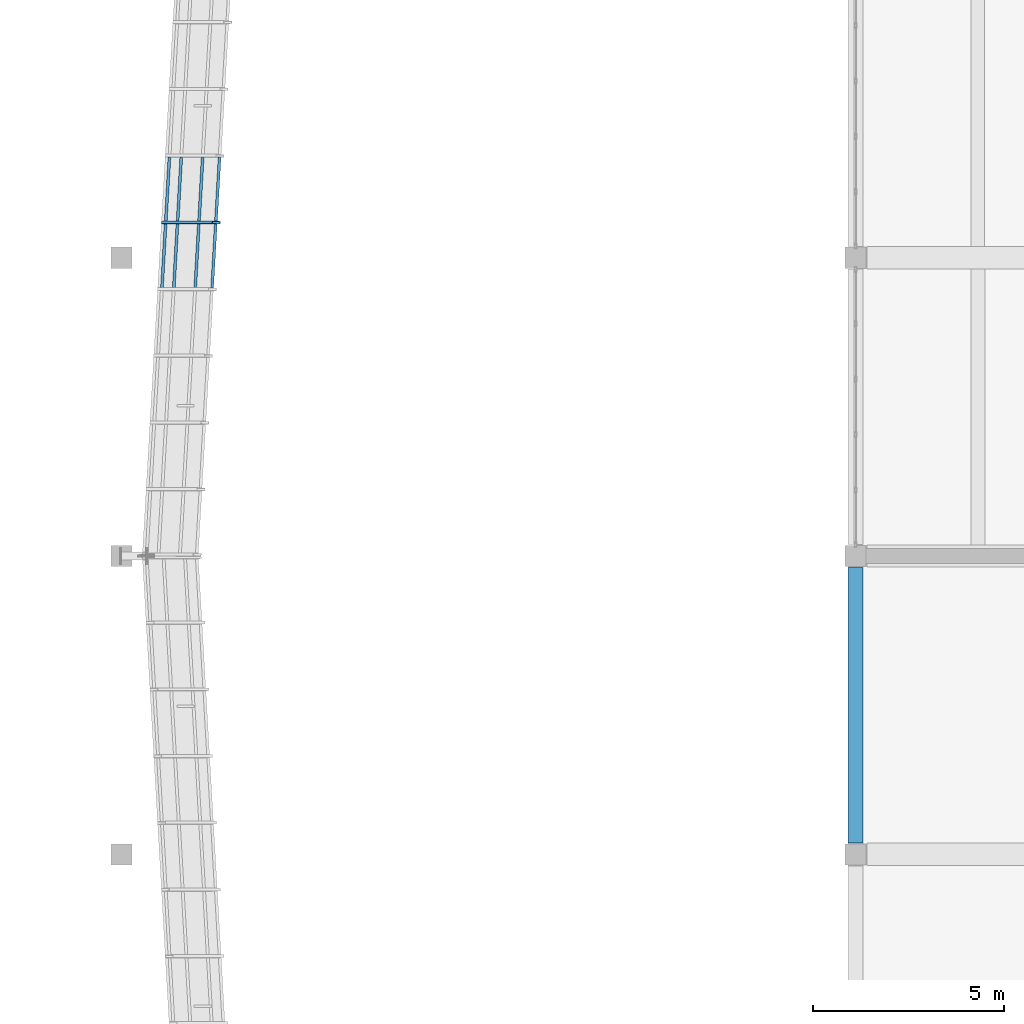
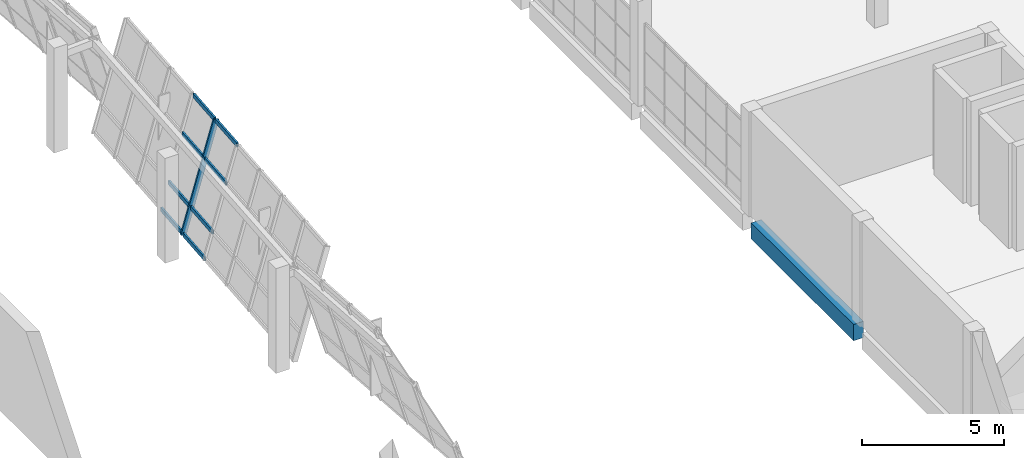
# One storey, part 21 of 67: 9 members, 1 beam, 1 element without a shape of its own.
"""IFC4 building model written with IfcOpenShell, lengths in metres."""

from ifc_helpers import new_model, si_unit, direction, frame, origin, origin_2d, place, context, subcontext, project, spatial, rectangle, hollow_rectangle, extrude, material, material_profile, profile_set, type_object, element, aggregate, save


model = new_model("IFC4")

# Units and contexts
model_context = context("Model", 3, precision=1e-05, world=origin(), true_north=direction((0.0, 1.0)))
body_context = subcontext(model_context, "Body", "Model", "MODEL_VIEW")
ifc_project = project(units=[si_unit("LENGTHUNIT", "METRE"), si_unit("AREAUNIT", "SQUARE_METRE"), si_unit("VOLUMEUNIT", "CUBIC_METRE"), si_unit("PLANEANGLEUNIT", "RADIAN"), si_unit("MASSUNIT", "GRAM", prefix="KILO")], contexts=[model_context])

# Site, building, storey
site_placement = place(None, origin())
site = spatial("IfcSite", under=ifc_project, at=site_placement, CompositionType="ELEMENT")
building_placement = place(site_placement, origin())
building = spatial("IfcBuilding", under=site, at=building_placement, Name="Pellamere Symphony Hall", CompositionType="ELEMENT")
storey_placement = place(building_placement, frame((0.0, 0.0, 19.5)))
storey = spatial("IfcBuildingStorey", under=building, at=storey_placement, Name="L04", CompositionType="ELEMENT", Elevation=19.5)

# Curtain wall, members
ifc_material_1 = material(Name="Thermally Broken Anodised Aluminium 6063-T6 Curtain Wall", Category="aluminium")
curtain_wall_type = type_object("IfcCurtainWallType", Name="Curtain Wall CW-01 (Tilted Faceted Crystal Low-Iron Curtain Wall)", PredefinedType="NOTDEFINED", material=ifc_material_1)
curtain_wall_placement = place(storey_placement, origin())
curtain_wall = element("IfcCurtainWall", 1, at=curtain_wall_placement, inside=storey, type_object=curtain_wall_type, Name="Crystal Faceted Curtain Wall CW-CR08 (L04)", PredefinedType="NOTDEFINED")
ifc_material_2 = material(Name="Anodised Architectural Aluminium 6063-T6", Category="aluminium")
ifc_material_profile_1 = material_profile(ifc_material_2, hollow_rectangle(XDim=0.074951171875, YDim=0.219970703125, WallThickness=0.0048828125, at=origin_2d()), Name="ALU-M75X220X5")
ifc_profile_set_1 = profile_set([ifc_material_profile_1], Name="Anodised Architectural Aluminium 6063-T6")
member_type_1 = type_object("IfcMemberType", Name="Curtain Wall Mullion ML-01 ALU-M75X220X5", PredefinedType="MULLION", material=ifc_profile_set_1)
member_1_placement = place(storey_placement, frame((119.949951171875, 70.522216796875, 0.0), z_axis=(0.284024567884, 0.0, 0.95881700279), x_axis=(-0.054873944304, -0.99836096977, 0.016254976991)))
member_1 = element("IfcMember", 2, at=member_1_placement, type_object=member_type_1, Name="CW1-016 crystal mullion 6", PredefinedType="MULLION", context=body_context, shape_type="SweptSolid", body=[
    extrude(hollow_rectangle(XDim=0.074951171875, YDim=0.219970703125, WallThickness=0.0048828125, at=origin_2d()), origin(), (0.0, 0.0, 1.0), 4.693359375),
])
ifc_material_profile_2 = material_profile(ifc_material_2, hollow_rectangle(XDim=0.074951171875, YDim=0.179931640625, WallThickness=0.0048828125, at=origin_2d()), Name="ALU-T75X180X5")
ifc_profile_set_2 = profile_set([ifc_material_profile_2], Name="Anodised Architectural Aluminium 6063-T6")
member_type_2 = type_object("IfcMemberType", Name="Curtain Wall Transom TR-01 ALU-T75X180X5", PredefinedType="USERDEFINED", material=ifc_profile_set_2)
member_2_placement = place(storey_placement, frame((119.86279296875, 68.815185546875, 0.035888671875), z_axis=(0.057224396245, 0.998361341637, 0.0), x_axis=(-0.998361341637, 0.057224396245, 0.0)))
member_2 = element("IfcMember", 3, at=member_2_placement, type_object=member_type_2, Name="CW1-016 crystal transom 5.1", ObjectType="TRANSOM", PredefinedType="USERDEFINED", context=body_context, shape_type="SweptSolid", body=[
    extrude(hollow_rectangle(XDim=0.074951171875, YDim=0.179931640625, WallThickness=0.0048828125, at=origin_2d()), origin(), (0.0, 0.0, 1.0), 1.67236328125),
])
member_3_placement = place(storey_placement, frame((120.172119140625, 68.815185546875, 1.080078125), z_axis=(0.057224396245, 0.998361341637, 0.0), x_axis=(-0.998361341637, 0.057224396245, 0.0)))
member_3 = element("IfcMember", 4, at=member_3_placement, type_object=member_type_2, Name="CW1-016 crystal transom 5.2", ObjectType="TRANSOM", PredefinedType="USERDEFINED", context=body_context, shape_type="SweptSolid", body=[
    extrude(hollow_rectangle(XDim=0.074951171875, YDim=0.179931640625, WallThickness=0.0048828125, at=origin_2d()), origin(), (0.0, 0.0, 1.0), 1.67236328125),
])
member_4_placement = place(storey_placement, frame((120.73193359375, 68.815185546875, 2.969970703125), z_axis=(0.057224396245, 0.998361341637, 0.0), x_axis=(-0.998361341637, 0.057224396245, 0.0)))
member_4 = element("IfcMember", 5, at=member_4_placement, type_object=member_type_2, Name="CW1-016 crystal transom 5.3", ObjectType="TRANSOM", PredefinedType="USERDEFINED", context=body_context, shape_type="SweptSolid", body=[
    extrude(hollow_rectangle(XDim=0.074951171875, YDim=0.179931640625, WallThickness=0.0048828125, at=origin_2d()), origin(), (0.0, 0.0, 1.0), 1.67236328125),
])
member_5_placement = place(storey_placement, frame((121.174560546875, 68.815185546875, 4.464111328125), z_axis=(0.057224396245, 0.998361341637, 0.0), x_axis=(-0.998361341637, 0.057224396245, 0.0)))
member_5 = element("IfcMember", 6, at=member_5_placement, type_object=member_type_2, Name="CW1-016 crystal transom 5.4", ObjectType="TRANSOM", PredefinedType="USERDEFINED", context=body_context, shape_type="SweptSolid", body=[
    extrude(hollow_rectangle(XDim=0.074951171875, YDim=0.179931640625, WallThickness=0.0048828125, at=origin_2d()), origin(), (0.0, 0.0, 1.0), 1.67236328125),
])
member_6_placement = place(storey_placement, frame((119.962890625, 70.5595703125, 0.035888671875), z_axis=(0.057224396245, 0.998361341637, 0.0), x_axis=(-0.998361341637, 0.057224396245, 0.0)))
member_6 = element("IfcMember", 7, at=member_6_placement, type_object=member_type_2, Name="CW1-016 crystal transom 6.1", ObjectType="TRANSOM", PredefinedType="USERDEFINED", context=body_context, shape_type="SweptSolid", body=[
    extrude(hollow_rectangle(XDim=0.074951171875, YDim=0.179931640625, WallThickness=0.0048828125, at=origin_2d()), origin(), (0.0, 0.0, 1.0), 1.67236328125),
])
member_7_placement = place(storey_placement, frame((120.27197265625, 70.5595703125, 1.080078125), z_axis=(0.057224396245, 0.998361341637, 0.0), x_axis=(-0.998361341637, 0.057224396245, 0.0)))
member_7 = element("IfcMember", 8, at=member_7_placement, type_object=member_type_2, Name="CW1-016 crystal transom 6.2", ObjectType="TRANSOM", PredefinedType="USERDEFINED", context=body_context, shape_type="SweptSolid", body=[
    extrude(hollow_rectangle(XDim=0.074951171875, YDim=0.179931640625, WallThickness=0.0048828125, at=origin_2d()), origin(), (0.0, 0.0, 1.0), 1.67236328125),
])
member_8_placement = place(storey_placement, frame((120.83203125, 70.5595703125, 2.969970703125), z_axis=(0.057224396245, 0.998361341637, 0.0), x_axis=(-0.998361341637, 0.057224396245, 0.0)))
member_8 = element("IfcMember", 9, at=member_8_placement, type_object=member_type_2, Name="CW1-016 crystal transom 6.3", ObjectType="TRANSOM", PredefinedType="USERDEFINED", context=body_context, shape_type="SweptSolid", body=[
    extrude(hollow_rectangle(XDim=0.074951171875, YDim=0.179931640625, WallThickness=0.0048828125, at=origin_2d()), origin(), (0.0, 0.0, 1.0), 1.67236328125),
])
member_9_placement = place(storey_placement, frame((121.2744140625, 70.5595703125, 4.464111328125), z_axis=(0.057224396245, 0.998361341637, 0.0), x_axis=(-0.998361341637, 0.057224396245, 0.0)))
member_9 = element("IfcMember", 10, at=member_9_placement, type_object=member_type_2, Name="CW1-016 crystal transom 6.4", ObjectType="TRANSOM", PredefinedType="USERDEFINED", context=body_context, shape_type="SweptSolid", body=[
    extrude(hollow_rectangle(XDim=0.074951171875, YDim=0.179931640625, WallThickness=0.0048828125, at=origin_2d()), origin(), (0.0, 0.0, 1.0), 1.67236328125),
])
aggregate(curtain_wall, [member_1, member_2, member_3, member_4, member_5, member_6, member_7, member_8, member_9])

# Beam
ifc_material_3 = material(Name="Concrete 40 MPa", Category="concrete")
ifc_material_profile_3 = material_profile(ifc_material_3, rectangle(XDim=0.39990234375, YDim=0.699951171875, at=origin_2d()), Name="RC 400x700")
ifc_profile_set_3 = profile_set([ifc_material_profile_3], Name="Concrete 40 MPa")
beam_type = type_object("IfcBeamType", Name="RC CB-13 400x700", PredefinedType="SPANDREL", material=ifc_profile_set_3)
beam_placement = place(storey_placement, frame((138.0, 54.300048828125, -0.610107421875), z_axis=(0.0, 1.0, 0.0), x_axis=(-1.0, 0.0, 0.0)))
element("IfcBeam", 11, at=beam_placement, inside=storey, type_object=beam_type, Name="Girder CB-13-Y1912 (L04)", PredefinedType="SPANDREL", context=body_context, shape_type="SweptSolid", body=[
    extrude(rectangle(XDim=0.39990234375, YDim=0.699951171875, at=origin_2d()), origin(), (0.0, 0.0, 1.0), 7.199951171875),
])

save(model, "model.ifc")
